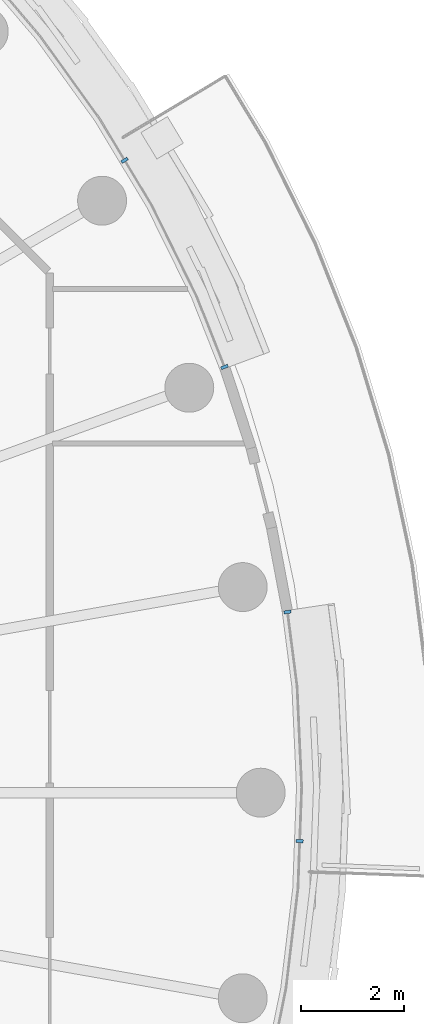
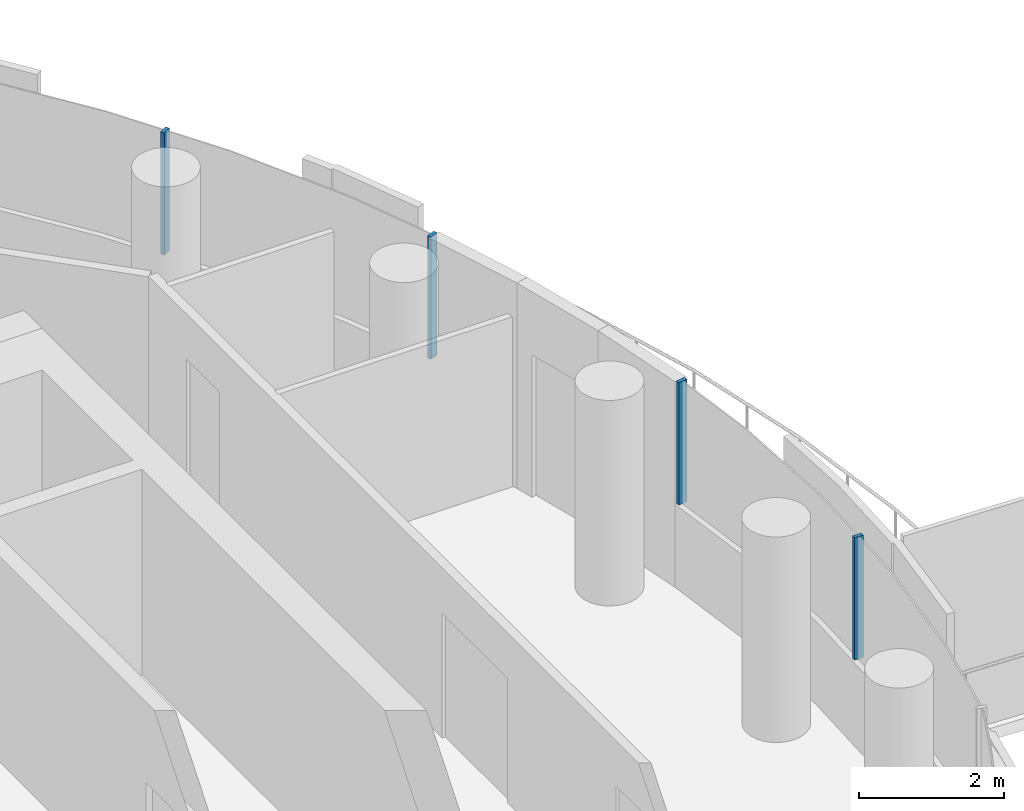
# One storey, part 14 of 33: 4 members, 1 element without a shape of its own.
"""IFC4 building model written with IfcOpenShell, lengths in metres."""

from ifc_helpers import new_model, si_unit, direction, frame, origin, origin_2d, place, context, subcontext, project, spatial, rectangle, extrude, material, layer, layer_set, material_profile, profile_set, type_object, element, aggregate, save


model = new_model("IFC4")

# Units and contexts
model_context = context("Model", 3, precision=1e-05, world=origin(), true_north=direction((0.0, 1.0)))
body_context = subcontext(model_context, "Body", "Model", "MODEL_VIEW")
ifc_project = project(units=[si_unit("LENGTHUNIT", "METRE"), si_unit("AREAUNIT", "SQUARE_METRE"), si_unit("VOLUMEUNIT", "CUBIC_METRE"), si_unit("PLANEANGLEUNIT", "RADIAN"), si_unit("MASSUNIT", "GRAM", prefix="KILO")], contexts=[model_context])

# Site, building, storey
site_placement = place(None, origin())
site = spatial("IfcSite", under=ifc_project, at=site_placement, CompositionType="ELEMENT")
building_placement = place(site_placement, origin())
building = spatial("IfcBuilding", under=site, at=building_placement, Name="Tamarind Cross Interchange Tower", CompositionType="ELEMENT")
storey_placement = place(building_placement, frame((0.0, 0.0, 186.10009765625)))
storey = spatial("IfcBuildingStorey", under=building, at=storey_placement, Name="L46", CompositionType="ELEMENT", Elevation=186.10009765625)

# Curtain wall, members
ifc_material = material(Name="Aluminium 6063-T6", Category="aluminium")
ifc_layer = layer(ifc_material, 0.139892578125)
ifc_layer_set = layer_set([ifc_layer], Name="Aluminium 6063-T6")
curtain_wall_type = type_object("IfcCurtainWallType", Name="Hotel curtain wall, 4.5 m bays", PredefinedType="NOTDEFINED", material=ifc_layer_set)
curtain_wall_placement = place(storey_placement, origin())
curtain_wall = element("IfcCurtainWall", 1, at=curtain_wall_placement, inside=storey, type_object=curtain_wall_type, Name="CWS-L46-06", PredefinedType="NOTDEFINED")
ifc_material_profile = material_profile(ifc_material, rectangle(XDim=0.06005859375, YDim=0.139892578125, at=origin_2d()), Name="Mullion CW2")
ifc_profile_set = profile_set([ifc_material_profile], Name="Aluminium 6063-T6")
member_type = type_object("IfcMemberType", Name="Mullion CW2", PredefinedType="MULLION", material=ifc_profile_set)
member_1_placement = place(storey_placement, frame((23.7568359375, -0.9423828125, 1.39990234375), z_axis=(0.0, 0.0, 1.0), x_axis=(0.037024696392, 0.999314350871, 0.0)))
member_1 = element("IfcMember", 2, at=member_1_placement, type_object=member_type, Name="CWM-L46-06-06", PredefinedType="MULLION", context=body_context, shape_type="SweptSolid", body=[
    extrude(rectangle(XDim=0.06005859375, YDim=0.139892578125, at=origin_2d()), origin(), (0.0, 0.0, 1.0), 2.06005859375),
])
member_2_placement = place(storey_placement, frame((23.51953125, 3.510009765625, 1.39990234375), z_axis=(0.0, 0.0, 1.0), x_axis=(-0.127962008342, 0.991779070368, 0.0)))
member_2 = element("IfcMember", 3, at=member_2_placement, type_object=member_type, Name="CWM-L46-06-07", PredefinedType="MULLION", context=body_context, shape_type="SweptSolid", body=[
    extrude(rectangle(XDim=0.06005859375, YDim=0.139892578125, at=origin_2d()), origin(), (0.0, 0.0, 1.0), 2.06005859375),
])
member_3_placement = place(storey_placement, frame((22.29638671875, 8.270263671875, 1.39990234375), z_axis=(0.0, 0.0, 1.0), x_axis=(-0.367513773146, 0.930018078613, 0.0)))
member_3 = element("IfcMember", 4, at=member_3_placement, type_object=member_type, Name="CWM-L46-06-08", PredefinedType="MULLION", context=body_context, shape_type="SweptSolid", body=[
    extrude(rectangle(XDim=0.06005859375, YDim=0.139892578125, at=origin_2d()), origin(), (0.0, 0.0, 1.0), 2.06005859375),
])
member_4_placement = place(storey_placement, frame((20.355712890625, 12.28466796875, 1.39990234375), z_axis=(0.0, 0.0, 1.0), x_axis=(-0.515577308909, 0.856843065292, 0.0)))
member_4 = element("IfcMember", 5, at=member_4_placement, type_object=member_type, Name="CWM-L46-06-09", PredefinedType="MULLION", context=body_context, shape_type="SweptSolid", body=[
    extrude(rectangle(XDim=0.06005859375, YDim=0.139892578125, at=origin_2d()), origin(), (0.0, 0.0, 1.0), 2.06005859375),
])
aggregate(curtain_wall, [member_1, member_2, member_3, member_4])

save(model, "model.ifc")
